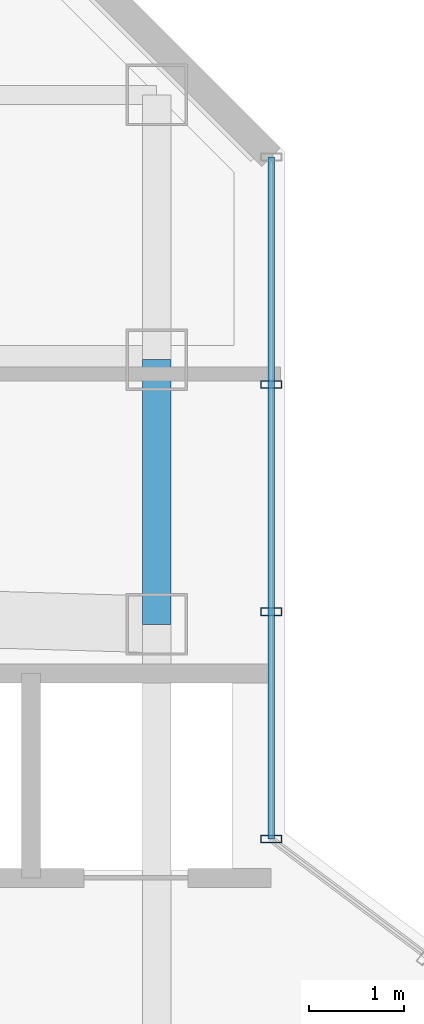
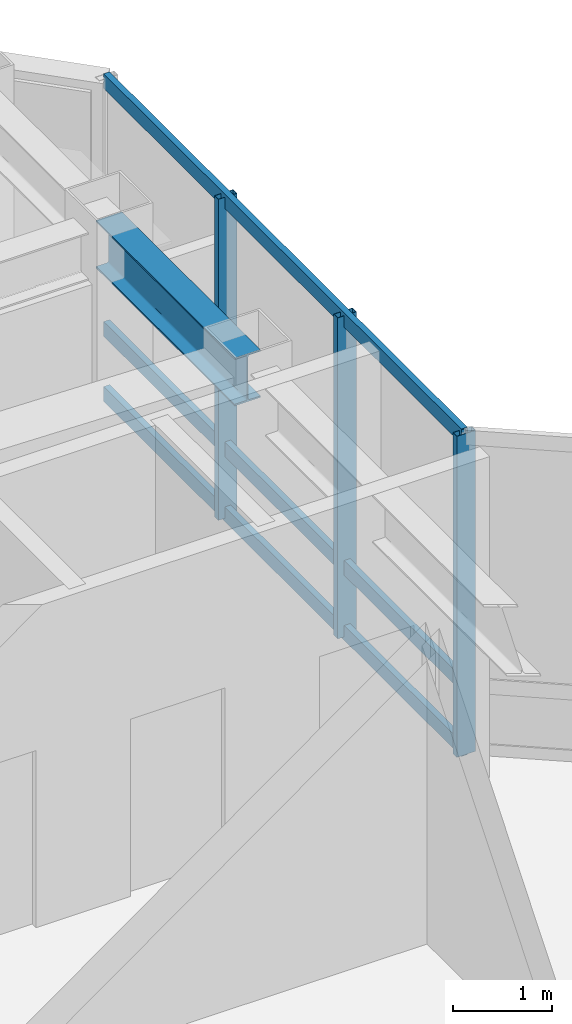
# One storey, part 12 of 22: 6 members, 1 beam, 1 element without a shape of its own.
"""IFC4 building model written with IfcOpenShell, lengths in metres."""

from ifc_helpers import new_model, si_unit, direction, frame, origin, origin_2d, place, context, subcontext, project, spatial, hollow_rectangle, i_section, extrude, material, layer, layer_set, material_profile, profile_set, type_object, element, aggregate, save


model = new_model("IFC4")

# Units and contexts
model_context = context("Model", 3, precision=1e-05, world=origin(), true_north=direction((0.0, 1.0)))
body_context = subcontext(model_context, "Body", "Model", "MODEL_VIEW")
ifc_project = project(units=[si_unit("LENGTHUNIT", "METRE"), si_unit("AREAUNIT", "SQUARE_METRE"), si_unit("VOLUMEUNIT", "CUBIC_METRE"), si_unit("PLANEANGLEUNIT", "RADIAN"), si_unit("MASSUNIT", "GRAM", prefix="KILO")], contexts=[model_context])

# Site, building, storey
site_placement = place(None, origin())
site = spatial("IfcSite", under=ifc_project, at=site_placement, CompositionType="ELEMENT")
building_placement = place(site_placement, origin())
building = spatial("IfcBuilding", under=site, at=building_placement, Name="Hatsunagi Terrace Concourse", CompositionType="ELEMENT")
storey_placement = place(building_placement, frame((0.0, 0.0, 257.550048828125)))
storey = spatial("IfcBuildingStorey", under=building, at=storey_placement, Name="L68", CompositionType="ELEMENT", Elevation=257.550048828125)

# Curtain wall, members
ifc_material_1 = material(Name="Anodised Aluminium Alloy 6063-T5", Category="aluminium")
ifc_layer = layer(ifc_material_1, 0.199951171875)
ifc_layer_set = layer_set([ifc_layer], Name="SkyLobbyAtrium_CW05")
curtain_wall_type = type_object("IfcCurtainWallType", Name="SkyLobbyAtrium_CW05", PredefinedType="NOTDEFINED", material=ifc_layer_set)
curtain_wall_placement = place(storey_placement, origin())
curtain_wall = element("IfcCurtainWall", 1, at=curtain_wall_placement, inside=storey, type_object=curtain_wall_type, Name="Unitised Curtain Wall CW-05 CW-L68-05", PredefinedType="NOTDEFINED")
ifc_material_2 = material(Name="Anodised Aluminium Alloy 6063-T5", Category="aluminium")
ifc_material_profile_1 = material_profile(ifc_material_2, hollow_rectangle(XDim=0.080078125, YDim=0.219970703125, WallThickness=0.0048828125, at=origin_2d()), Name="ALU-MUL-220x80x5")
ifc_profile_set_1 = profile_set([ifc_material_profile_1], Name="Anodised Aluminium Alloy 6063-T5")
member_type_1 = type_object("IfcMemberType", Name="CurtainWallMullion_Heavy_220x80", PredefinedType="MULLION", material=ifc_profile_set_1)
member_1_placement = place(storey_placement, frame((44.860107421875, 45.5380859375, 0.0), z_axis=(0.0, 0.0, 1.0), x_axis=(0.0, -1.0, 0.0)))
member_1 = element("IfcMember", 2, at=member_1_placement, type_object=member_type_1, Name="Curtain Wall Mullion MUL-01", PredefinedType="MULLION", context=body_context, shape_type="SweptSolid", body=[
    extrude(hollow_rectangle(XDim=0.080078125, YDim=0.219970703125, WallThickness=0.0048828125, at=origin_2d()), origin(), (0.0, 0.0, 1.0), 3.949951171875),
])
member_2_placement = place(storey_placement, frame((44.860107421875, 43.134033203125, 0.0), z_axis=(0.0, 0.0, 1.0), x_axis=(0.0, -1.0, 0.0)))
member_2 = element("IfcMember", 3, at=member_2_placement, type_object=member_type_1, Name="Curtain Wall Mullion MUL-01", PredefinedType="MULLION", context=body_context, shape_type="SweptSolid", body=[
    extrude(hollow_rectangle(XDim=0.080078125, YDim=0.219970703125, WallThickness=0.0048828125, at=origin_2d()), origin(), (0.0, 0.0, 1.0), 3.949951171875),
])
member_3_placement = place(storey_placement, frame((44.860107421875, 40.72998046875, 0.0), z_axis=(0.0, 0.0, 1.0), x_axis=(0.0, -1.0, 0.0)))
member_3 = element("IfcMember", 4, at=member_3_placement, type_object=member_type_1, Name="Curtain Wall Mullion MUL-01", PredefinedType="MULLION", context=body_context, shape_type="SweptSolid", body=[
    extrude(hollow_rectangle(XDim=0.080078125, YDim=0.219970703125, WallThickness=0.0048828125, at=origin_2d()), origin(), (0.0, 0.0, 1.0), 3.949951171875),
])
ifc_material_3 = material(Name="Anodised Aluminium Alloy 6063-T5", Category="aluminium")
ifc_material_profile_2 = material_profile(ifc_material_3, hollow_rectangle(XDim=0.070068359375, YDim=0.179931640625, WallThickness=0.00390625, at=origin_2d()), Name="ALU-TRN-180x70x4")
ifc_profile_set_2 = profile_set([ifc_material_profile_2], Name="Anodised Aluminium Alloy 6063-T5")
member_type_2 = type_object("IfcMemberType", Name="CurtainWallTransom_Heavy_180x70", PredefinedType="USERDEFINED", material=ifc_profile_set_2)
member_4_placement = place(storey_placement, frame((44.860107421875, 47.94189453125, 0.050048828125), z_axis=(0.0, -1.0, 0.0), x_axis=(1.0, 0.0, 0.0)))
member_4 = element("IfcMember", 5, at=member_4_placement, type_object=member_type_2, Name="Curtain Wall Transom TRN-01", ObjectType="TRANSOM", PredefinedType="USERDEFINED", context=body_context, shape_type="SweptSolid", body=[
    extrude(hollow_rectangle(XDim=0.070068359375, YDim=0.179931640625, WallThickness=0.00390625, at=origin_2d()), origin(), (0.0, 0.0, 1.0), 7.2119140625),
])
member_5_placement = place(storey_placement, frame((44.860107421875, 47.94189453125, 0.849853515625), z_axis=(0.0, -1.0, 0.0), x_axis=(1.0, 0.0, 0.0)))
member_5 = element("IfcMember", 6, at=member_5_placement, type_object=member_type_2, Name="Curtain Wall Transom TRN-01", ObjectType="TRANSOM", PredefinedType="USERDEFINED", context=body_context, shape_type="SweptSolid", body=[
    extrude(hollow_rectangle(XDim=0.070068359375, YDim=0.179931640625, WallThickness=0.00390625, at=origin_2d()), origin(), (0.0, 0.0, 1.0), 7.2119140625),
])
member_6_placement = place(storey_placement, frame((44.860107421875, 47.94189453125, 3.89990234375), z_axis=(0.0, -1.0, 0.0), x_axis=(1.0, 0.0, 0.0)))
member_6 = element("IfcMember", 7, at=member_6_placement, type_object=member_type_2, Name="Curtain Wall Transom TRN-01", ObjectType="TRANSOM", PredefinedType="USERDEFINED", context=body_context, shape_type="SweptSolid", body=[
    extrude(hollow_rectangle(XDim=0.070068359375, YDim=0.179931640625, WallThickness=0.00390625, at=origin_2d()), origin(), (0.0, 0.0, 1.0), 7.2119140625),
])
aggregate(curtain_wall, [member_1, member_2, member_3, member_4, member_5, member_6])

# Beam
ifc_material_4 = material(Name="Steel SN490B", Category="steel")
ifc_material_profile_3 = material_profile(ifc_material_4, i_section(OverallWidth=0.300048828125, OverallDepth=0.587890625, WebThickness=0.011962890625, FlangeThickness=0.02001953125, FilletRadius=0.01806640625, at=origin_2d()), Name="H-588x300x12x20")
ifc_profile_set_3 = profile_set([ifc_material_profile_3], Name="Steel SN490B")
beam_type = type_object("IfcBeamType", Name="OfficeHighGirder_H_588x300", PredefinedType="BEAM", material=ifc_profile_set_3)
beam_placement = place(storey_placement, frame((43.64990234375, 43.0, 3.656005859375), z_axis=(0.0, 1.0, 0.0), x_axis=(-1.0, 0.0, 0.0)))
element("IfcBeam", 8, at=beam_placement, inside=storey, type_object=beam_type, Name="Beam G-06 BM-L68-CN3", PredefinedType="BEAM", context=body_context, shape_type="SweptSolid", body=[
    extrude(i_section(OverallWidth=0.300048828125, OverallDepth=0.587890625, WebThickness=0.011962890625, FlangeThickness=0.02001953125, FilletRadius=0.01806640625, at=origin_2d()), origin(), (0.0, 0.0, 1.0), 2.800048828125),
])

save(model, "model.ifc")
